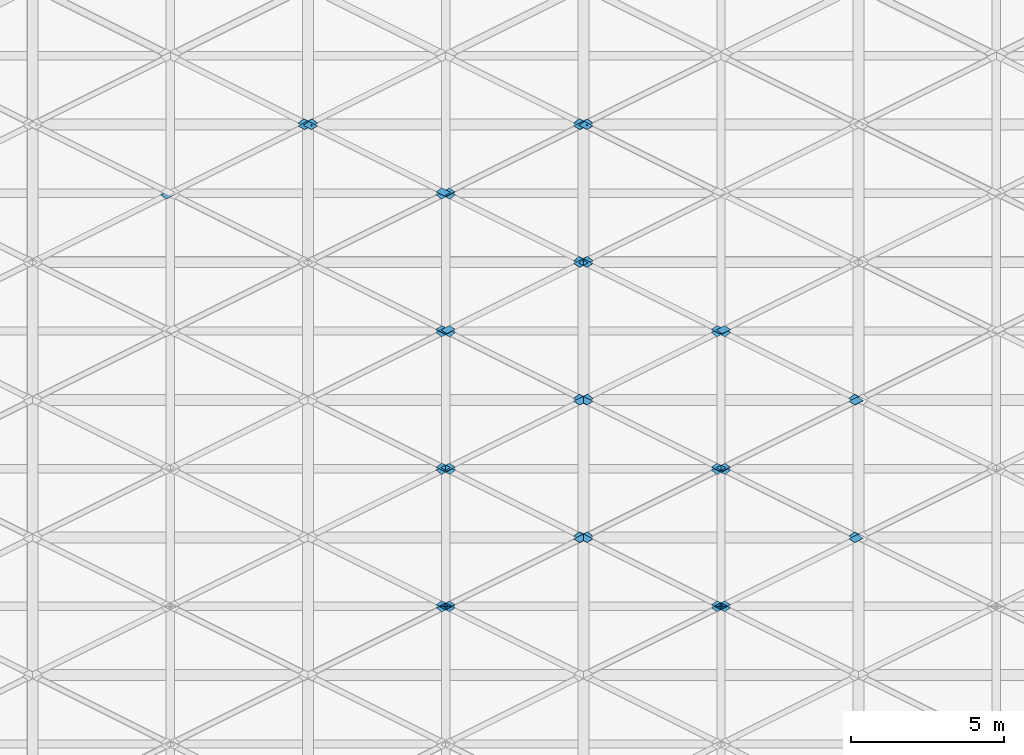
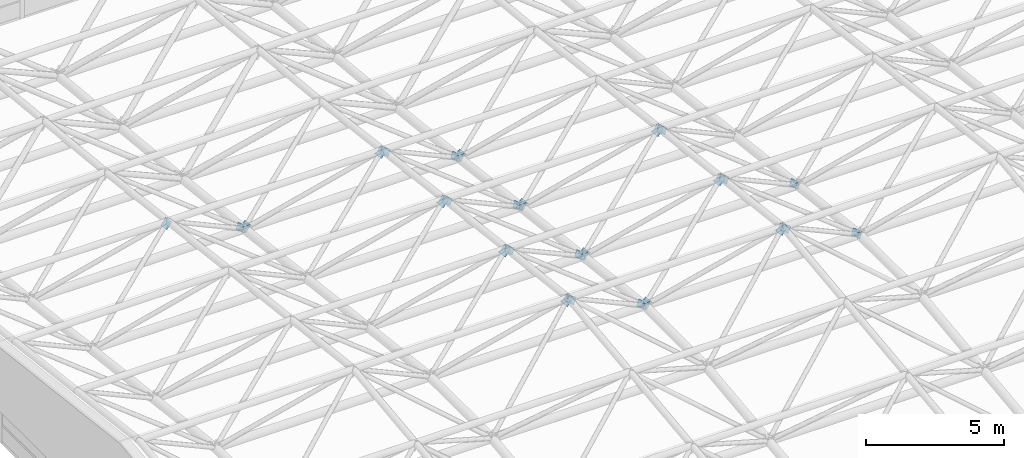
# One storey, part 36 of 53: 53 discrete accessories.
"""IFC4 building model written with IfcOpenShell, lengths in metres."""

from ifc_helpers import new_model, si_unit, direction, frame, origin, place, context, subcontext, project, spatial, polyline, outline, extrude, material, layer, layer_set, type_object, element, save


model = new_model("IFC4")

# Units and contexts
model_context = context("Model", 3, precision=1e-05, world=origin(), true_north=direction((0.0, 1.0)))
body_context = subcontext(model_context, "Body", "Model", "MODEL_VIEW")
ifc_project = project(units=[si_unit("LENGTHUNIT", "METRE"), si_unit("AREAUNIT", "SQUARE_METRE"), si_unit("VOLUMEUNIT", "CUBIC_METRE"), si_unit("PLANEANGLEUNIT", "RADIAN"), si_unit("MASSUNIT", "GRAM", prefix="KILO")], contexts=[model_context])

# Site, building, storey
site_placement = place(None, origin())
site = spatial("IfcSite", under=ifc_project, at=site_placement, CompositionType="ELEMENT")
building_placement = place(site_placement, origin())
building = spatial("IfcBuilding", under=site, at=building_placement, Name="Aravalli Gate Trade Fair Centre", CompositionType="ELEMENT")
storey_placement = place(building_placement, frame((0.0, 0.0, 25.199951171875)))
storey = spatial("IfcBuildingStorey", under=building, at=storey_placement, Name="ROOF LEVEL 2", CompositionType="ELEMENT", Elevation=25.199951171875)

# Discrete accessories
ifc_material = material(Name="Steel E350", Category="steel")
ifc_layer = layer(ifc_material, 0.011962890625)
ifc_layer_set = layer_set([ifc_layer], Name="Steel E350")
discrete_accessory_type = type_object("IfcDiscreteAccessoryType", Name="Gusset plate 291 x 291 x 12", PredefinedType="USERDEFINED", material=ifc_layer_set)
for number, where, z_axis, x_axis, name in (
    (1, (24.121826171875, 77.324462890625, 5.08544921875), (0.000136804439, -0.823750482353, 0.566952488404), (-0.749929392198, 0.374964696099, 0.54498383774), "Gusset plate Space frame web diagonal D3C end A"),
    (2, (33.121826171875, 77.324462890625, 5.08544921875), (0.000136804439, -0.823750482353, 0.566952488404), (-0.749929392198, 0.374964696099, 0.54498383774), "Gusset plate Space frame web diagonal D3C end A"),
):
    element("IfcDiscreteAccessory", number, at=place(storey_placement, frame(where, z_axis=z_axis, x_axis=x_axis)), inside=storey, type_object=discrete_accessory_type, Name=name, ObjectType="GUSSET PLATE", PredefinedType="USERDEFINED", context=body_context, shape_type="SweptSolid", body=[
        extrude(outline(polyline([(0.0, 0.0), (0.37047758647752815, -1.3877787807814457e-17), (0.37050220203048867, -0.2904791260615137), (2.461555296055795e-05, -0.2904791260615137), (0.0, 0.0)])), origin(), (0.0, 0.0, -1.0), 0.011962890625),
    ])
for number, where, z_axis, x_axis, name in (
    (3, (23.68603515625, 77.447998046875, 5.264892578125), (-0.000136804439, -0.823750482353, 0.566952488404), (0.749929392198, 0.374964696099, 0.54498383774), "Gusset plate Space frame web diagonal D3D end A"),
    (4, (32.68603515625, 77.447998046875, 5.264892578125), (-0.000136804439, -0.823750482353, 0.566952488404), (0.749929392198, 0.374964696099, 0.54498383774), "Gusset plate Space frame web diagonal D3D end A"),
):
    element("IfcDiscreteAccessory", number, at=place(storey_placement, frame(where, z_axis=z_axis, x_axis=x_axis)), inside=storey, type_object=discrete_accessory_type, Name=name, ObjectType="GUSSET PLATE", PredefinedType="USERDEFINED", context=body_context, shape_type="SweptSolid", body=[
        extrude(outline(polyline([(0.0, 0.0), (0.37047758647752815, 1.3877787807814457e-17), (0.37045297092456764, -0.2904791260615137), (-2.461555296055795e-05, -0.2904791260615137), (0.0, 0.0)])), origin(), (0.0, 0.0, -1.0), 0.011962890625),
    ])
discrete_accessory_1_placement = place(storey_placement, frame((24.121826171875, 77.675537109375, 5.08544921875), z_axis=(0.000136804439, 0.823750482353, 0.566952488404), x_axis=(-0.749929392198, -0.374964696099, 0.54498383774)))
element("IfcDiscreteAccessory", 5, at=discrete_accessory_1_placement, inside=storey, type_object=discrete_accessory_type, Name="Gusset plate Space frame web diagonal D4A end A", ObjectType="GUSSET PLATE", PredefinedType="USERDEFINED", context=body_context, shape_type="SweptSolid", body=[
    extrude(outline(polyline([(0.0, 0.0), (0.37047758647752815, 1.3877787807814457e-17), (0.37050220203048867, 0.2904791260615137), (2.461555296055795e-05, 0.2904791260615137), (0.0, 0.0)])), origin(), (0.0, 0.0, -1.0), 0.011962890625),
])
discrete_accessory_2_placement = place(storey_placement, frame((28.18603515625, 79.707763671875, 2.132080078125), z_axis=(0.000136804439, 0.823750482353, 0.566952488404), x_axis=(0.749929392198, 0.374964696099, -0.54498383774)))
element("IfcDiscreteAccessory", 6, at=discrete_accessory_2_placement, inside=storey, type_object=discrete_accessory_type, Name="Gusset plate Space frame web diagonal D4A end B", ObjectType="GUSSET PLATE", PredefinedType="USERDEFINED", context=body_context, shape_type="SweptSolid", body=[
    extrude(outline(polyline([(0.0, 0.0), (0.37047758647752815, 1.3877787807814457e-17), (0.37045297092456764, -0.2904791260615137), (-2.461555296055795e-05, -0.2904791260615137), (0.0, 0.0)])), origin(), (0.0, 0.0, -1.0), 0.011962890625),
])
discrete_accessory_3_placement = place(storey_placement, frame((33.121826171875, 77.675537109375, 5.08544921875), z_axis=(0.000136804439, 0.823750482353, 0.566952488404), x_axis=(-0.749929392198, -0.374964696099, 0.54498383774)))
element("IfcDiscreteAccessory", 7, at=discrete_accessory_3_placement, inside=storey, type_object=discrete_accessory_type, Name="Gusset plate Space frame web diagonal D4A end A", ObjectType="GUSSET PLATE", PredefinedType="USERDEFINED", context=body_context, shape_type="SweptSolid", body=[
    extrude(outline(polyline([(0.0, 0.0), (0.37047758647752815, 1.3877787807814457e-17), (0.37050220203048867, 0.2904791260615137), (2.461555296055795e-05, 0.2904791260615137), (0.0, 0.0)])), origin(), (0.0, 0.0, -1.0), 0.011962890625),
])
discrete_accessory_4_placement = place(storey_placement, frame((37.18603515625, 79.707763671875, 2.132080078125), z_axis=(0.000136804439, 0.823750482353, 0.566952488404), x_axis=(0.749929392198, 0.374964696099, -0.54498383774)))
element("IfcDiscreteAccessory", 8, at=discrete_accessory_4_placement, inside=storey, type_object=discrete_accessory_type, Name="Gusset plate Space frame web diagonal D4A end B", ObjectType="GUSSET PLATE", PredefinedType="USERDEFINED", context=body_context, shape_type="SweptSolid", body=[
    extrude(outline(polyline([(0.0, 0.0), (0.37047758647752815, 1.3877787807814457e-17), (0.37045297092456764, -0.2904791260615137), (-2.461555296055795e-05, -0.2904791260615137), (0.0, 0.0)])), origin(), (0.0, 0.0, -1.0), 0.011962890625),
])
discrete_accessory_5_placement = place(storey_placement, frame((24.121826171875, 82.175537109375, 4.54541015625), z_axis=(0.000136804439, 0.823750482353, 0.566952488404), x_axis=(-0.749929392198, -0.374964696099, 0.54498383774)))
element("IfcDiscreteAccessory", 9, at=discrete_accessory_5_placement, inside=storey, type_object=discrete_accessory_type, Name="Gusset plate Space frame web diagonal D4A end A", ObjectType="GUSSET PLATE", PredefinedType="USERDEFINED", context=body_context, shape_type="SweptSolid", body=[
    extrude(outline(polyline([(0.0, 0.0), (0.37047758647752815, 1.3877787807814457e-17), (0.37050220203048867, 0.2904791260615137), (2.461555296055795e-05, 0.2904791260615137), (0.0, 0.0)])), origin(), (0.0, 0.0, -1.0), 0.011962890625),
])
discrete_accessory_6_placement = place(storey_placement, frame((28.18603515625, 84.207763671875, 1.592041015625), z_axis=(0.000136804439, 0.823750482353, 0.566952488404), x_axis=(0.749929392198, 0.374964696099, -0.54498383774)))
element("IfcDiscreteAccessory", 10, at=discrete_accessory_6_placement, inside=storey, type_object=discrete_accessory_type, Name="Gusset plate Space frame web diagonal D4A end B", ObjectType="GUSSET PLATE", PredefinedType="USERDEFINED", context=body_context, shape_type="SweptSolid", body=[
    extrude(outline(polyline([(0.0, 0.0), (0.37047758647752815, 1.3877787807814457e-17), (0.37045297092456764, -0.2904791260615137), (-2.461555296055795e-05, -0.2904791260615137), (0.0, 0.0)])), origin(), (0.0, 0.0, -1.0), 0.011962890625),
])
discrete_accessory_7_placement = place(storey_placement, frame((33.121826171875, 82.175537109375, 4.54541015625), z_axis=(0.000136804439, 0.823750482353, 0.566952488404), x_axis=(-0.749929392198, -0.374964696099, 0.54498383774)))
element("IfcDiscreteAccessory", 11, at=discrete_accessory_7_placement, inside=storey, type_object=discrete_accessory_type, Name="Gusset plate Space frame web diagonal D4A end A", ObjectType="GUSSET PLATE", PredefinedType="USERDEFINED", context=body_context, shape_type="SweptSolid", body=[
    extrude(outline(polyline([(0.0, 0.0), (0.37047758647752815, 1.3877787807814457e-17), (0.37050220203048867, 0.2904791260615137), (2.461555296055795e-05, 0.2904791260615137), (0.0, 0.0)])), origin(), (0.0, 0.0, -1.0), 0.011962890625),
])
discrete_accessory_8_placement = place(storey_placement, frame((37.18603515625, 84.207763671875, 1.592041015625), z_axis=(0.000136804439, 0.823750482353, 0.566952488404), x_axis=(0.749929392198, 0.374964696099, -0.54498383774)))
element("IfcDiscreteAccessory", 12, at=discrete_accessory_8_placement, inside=storey, type_object=discrete_accessory_type, Name="Gusset plate Space frame web diagonal D4A end B", ObjectType="GUSSET PLATE", PredefinedType="USERDEFINED", context=body_context, shape_type="SweptSolid", body=[
    extrude(outline(polyline([(0.0, 0.0), (0.37047758647752815, 1.3877787807814457e-17), (0.37045297092456764, -0.2904791260615137), (-2.461555296055795e-05, -0.2904791260615137), (0.0, 0.0)])), origin(), (0.0, 0.0, -1.0), 0.011962890625),
])
for number, where, z_axis, x_axis, name in (
    (13, (23.68603515625, 77.552001953125, 5.264892578125), (-0.000136804439, 0.823750482353, 0.566952488404), (0.749929392198, -0.374964696099, 0.54498383774), "Gusset plate Space frame web diagonal D4B end A"),
    (14, (32.68603515625, 77.552001953125, 5.264892578125), (-0.000136804439, 0.823750482353, 0.566952488404), (0.749929392198, -0.374964696099, 0.54498383774), "Gusset plate Space frame web diagonal D4B end A"),
):
    element("IfcDiscreteAccessory", number, at=place(storey_placement, frame(where, z_axis=z_axis, x_axis=x_axis)), inside=storey, type_object=discrete_accessory_type, Name=name, ObjectType="GUSSET PLATE", PredefinedType="USERDEFINED", context=body_context, shape_type="SweptSolid", body=[
        extrude(outline(polyline([(0.0, 0.0), (0.37047758647752815, -1.3877787807814457e-17), (0.37045297092456764, 0.2904791260615137), (-2.461555296055795e-05, 0.2904791260615137), (0.0, 0.0)])), origin(), (0.0, 0.0, -1.0), 0.011962890625),
    ])
discrete_accessory_9_placement = place(storey_placement, frame((28.621826171875, 79.584228515625, 2.3115234375), z_axis=(-0.000136804439, 0.823750482353, 0.566952488404), x_axis=(-0.749929392198, 0.374964696099, -0.54498383774)))
element("IfcDiscreteAccessory", 15, at=discrete_accessory_9_placement, inside=storey, type_object=discrete_accessory_type, Name="Gusset plate Space frame web diagonal D4B end B", ObjectType="GUSSET PLATE", PredefinedType="USERDEFINED", context=body_context, shape_type="SweptSolid", body=[
    extrude(outline(polyline([(0.0, 0.0), (0.37047758647752815, -1.3877787807814457e-17), (0.37050220203048867, -0.2904791260615137), (2.461555296055795e-05, -0.2904791260615137), (0.0, 0.0)])), origin(), (0.0, 0.0, -1.0), 0.011962890625),
])
for number, where, z_axis, x_axis, name in (
    (16, (23.68603515625, 82.052001953125, 4.724853515625), (-0.000136804439, 0.823750482353, 0.566952488404), (0.749929392198, -0.374964696099, 0.54498383774), "Gusset plate Space frame web diagonal D4B end A"),
    (17, (32.68603515625, 82.052001953125, 4.724853515625), (-0.000136804439, 0.823750482353, 0.566952488404), (0.749929392198, -0.374964696099, 0.54498383774), "Gusset plate Space frame web diagonal D4B end A"),
):
    element("IfcDiscreteAccessory", number, at=place(storey_placement, frame(where, z_axis=z_axis, x_axis=x_axis)), inside=storey, type_object=discrete_accessory_type, Name=name, ObjectType="GUSSET PLATE", PredefinedType="USERDEFINED", context=body_context, shape_type="SweptSolid", body=[
        extrude(outline(polyline([(0.0, 0.0), (0.37047758647752815, -1.3877787807814457e-17), (0.37045297092456764, 0.2904791260615137), (-2.461555296055795e-05, 0.2904791260615137), (0.0, 0.0)])), origin(), (0.0, 0.0, -1.0), 0.011962890625),
    ])
discrete_accessory_10_placement = place(storey_placement, frame((28.621826171875, 84.084228515625, 1.771484375), z_axis=(-0.000136804439, 0.823750482353, 0.566952488404), x_axis=(-0.749929392198, 0.374964696099, -0.54498383774)))
element("IfcDiscreteAccessory", 18, at=discrete_accessory_10_placement, inside=storey, type_object=discrete_accessory_type, Name="Gusset plate Space frame web diagonal D4B end B", ObjectType="GUSSET PLATE", PredefinedType="USERDEFINED", context=body_context, shape_type="SweptSolid", body=[
    extrude(outline(polyline([(0.0, 0.0), (0.37047758647752815, -1.3877787807814457e-17), (0.37050220203048867, -0.2904791260615137), (2.461555296055795e-05, -0.2904791260615137), (0.0, 0.0)])), origin(), (0.0, 0.0, -1.0), 0.011962890625),
])
discrete_accessory_11_placement = place(storey_placement, frame((24.138671875, 81.80859375, 4.567138671875), z_axis=(0.000259688153, -0.77158167438, 0.636130216483), x_axis=(-0.786189750281, 0.392961505637, 0.476955901148)))
element("IfcDiscreteAccessory", 19, at=discrete_accessory_11_placement, inside=storey, type_object=discrete_accessory_type, Name="Gusset plate Space frame web diagonal D4C end A", ObjectType="GUSSET PLATE", PredefinedType="USERDEFINED", context=body_context, shape_type="SweptSolid", body=[
    extrude(outline(polyline([(0.0, 0.0), (0.37047009323158403, 1.3877787807814457e-17), (0.3706453255393415, -0.29059138113822636), (7.929444017017173e-05, -0.29046925152010133), (0.0, 0.0)])), origin(), (0.0, 0.0, -1.0), 0.011962890625),
])
discrete_accessory_12_placement = place(storey_placement, frame((28.181884765625, 79.786865234375, 2.1142578125), z_axis=(0.000259222443, -0.771843687699, 0.635812279342), x_axis=(0.78618965885, -0.392765328311, -0.477117613586)))
element("IfcDiscreteAccessory", 20, at=discrete_accessory_12_placement, inside=storey, type_object=discrete_accessory_type, Name="Gusset plate Space frame web diagonal D4C end B", ObjectType="GUSSET PLATE", PredefinedType="USERDEFINED", context=body_context, shape_type="SweptSolid", body=[
    extrude(outline(polyline([(0.0, 0.0), (0.3704701052045229, 2.7755575615628914e-17), (0.3703907868210381, 0.2904692667840814), (-7.931838348480824e-05, 0.2904692667840814), (0.0, 0.0)])), origin(), (0.0, 0.0, -1.0), 0.011962890625),
])
discrete_accessory_13_placement = place(storey_placement, frame((33.138671875, 81.80859375, 4.567138671875), z_axis=(0.000259688153, -0.77158167438, 0.636130216483), x_axis=(-0.786189750281, 0.392961505637, 0.476955901148)))
element("IfcDiscreteAccessory", 21, at=discrete_accessory_13_placement, inside=storey, type_object=discrete_accessory_type, Name="Gusset plate Space frame web diagonal D4C end A", ObjectType="GUSSET PLATE", PredefinedType="USERDEFINED", context=body_context, shape_type="SweptSolid", body=[
    extrude(outline(polyline([(0.0, 0.0), (0.37047009323158403, 1.3877787807814457e-17), (0.3706453255393415, -0.29059138113822636), (7.929444017017173e-05, -0.29046925152010133), (0.0, 0.0)])), origin(), (0.0, 0.0, -1.0), 0.011962890625),
])
discrete_accessory_14_placement = place(storey_placement, frame((37.181884765625, 79.786865234375, 2.1142578125), z_axis=(0.000259222443, -0.771843687699, 0.635812279342), x_axis=(0.78618965885, -0.392765328311, -0.477117613586)))
element("IfcDiscreteAccessory", 22, at=discrete_accessory_14_placement, inside=storey, type_object=discrete_accessory_type, Name="Gusset plate Space frame web diagonal D4C end B", ObjectType="GUSSET PLATE", PredefinedType="USERDEFINED", context=body_context, shape_type="SweptSolid", body=[
    extrude(outline(polyline([(0.0, 0.0), (0.3704701052045229, 2.7755575615628914e-17), (0.3703907868210381, 0.2904692667840814), (-7.931838348480824e-05, 0.2904692667840814), (0.0, 0.0)])), origin(), (0.0, 0.0, -1.0), 0.011962890625),
])
discrete_accessory_15_placement = place(storey_placement, frame((24.138671875, 86.30859375, 4.027099609375), z_axis=(0.000259688153, -0.77158167438, 0.636130216483), x_axis=(-0.786189750281, 0.392961505637, 0.476955901148)))
element("IfcDiscreteAccessory", 23, at=discrete_accessory_15_placement, inside=storey, type_object=discrete_accessory_type, Name="Gusset plate Space frame web diagonal D4C end A", ObjectType="GUSSET PLATE", PredefinedType="USERDEFINED", context=body_context, shape_type="SweptSolid", body=[
    extrude(outline(polyline([(0.0, 0.0), (0.37047009323158403, 1.3877787807814457e-17), (0.3706453255393415, -0.29059138113822636), (7.929444017017173e-05, -0.29046925152010133), (0.0, 0.0)])), origin(), (0.0, 0.0, -1.0), 0.011962890625),
])
discrete_accessory_16_placement = place(storey_placement, frame((28.181884765625, 84.286865234375, 1.574462890625), z_axis=(0.000589123978, -0.771792295466, 0.635874441689), x_axis=(0.785942550469, -0.392803472142, -0.477493182816)))
element("IfcDiscreteAccessory", 24, at=discrete_accessory_16_placement, inside=storey, type_object=discrete_accessory_type, Name="Gusset plate Space frame web diagonal D4C end B", ObjectType="GUSSET PLATE", PredefinedType="USERDEFINED", context=body_context, shape_type="SweptSolid", body=[
    extrude(outline(polyline([(0.0, 0.0), (0.3705866429803553, 2.7755575615628914e-17), (0.37039124031354775, 0.29046920151748473), (-7.882718272163303e-05, 0.29032116611826925), (0.0, 0.0)])), origin(), (0.0, 0.0, -1.0), 0.011962890625),
])
discrete_accessory_17_placement = place(storey_placement, frame((33.138671875, 86.30859375, 4.027099609375), z_axis=(0.000259688153, -0.77158167438, 0.636130216483), x_axis=(-0.786189750281, 0.392961505637, 0.476955901148)))
element("IfcDiscreteAccessory", 25, at=discrete_accessory_17_placement, inside=storey, type_object=discrete_accessory_type, Name="Gusset plate Space frame web diagonal D4C end A", ObjectType="GUSSET PLATE", PredefinedType="USERDEFINED", context=body_context, shape_type="SweptSolid", body=[
    extrude(outline(polyline([(0.0, 0.0), (0.37047009323158403, 1.3877787807814457e-17), (0.3706453255393415, -0.29059138113822636), (7.929444017017173e-05, -0.29046925152010133), (0.0, 0.0)])), origin(), (0.0, 0.0, -1.0), 0.011962890625),
])
discrete_accessory_18_placement = place(storey_placement, frame((37.181884765625, 84.286865234375, 1.574462890625), z_axis=(0.000589123978, -0.771792295466, 0.635874441689), x_axis=(0.785942550469, -0.392803472142, -0.477493182816)))
element("IfcDiscreteAccessory", 26, at=discrete_accessory_18_placement, inside=storey, type_object=discrete_accessory_type, Name="Gusset plate Space frame web diagonal D4C end B", ObjectType="GUSSET PLATE", PredefinedType="USERDEFINED", context=body_context, shape_type="SweptSolid", body=[
    extrude(outline(polyline([(0.0, 0.0), (0.3705866429803553, 2.7755575615628914e-17), (0.37039124031354775, 0.29046920151748473), (-7.882718272163303e-05, 0.29032116611826925), (0.0, 0.0)])), origin(), (0.0, 0.0, -1.0), 0.011962890625),
])
for number, where, z_axis, x_axis, name in (
    (27, (23.681884765625, 81.953857421875, 4.743408203125), (-0.000259688153, -0.77158167438, 0.636130216483), (0.785986034617, 0.393126352276, 0.477155765483), "Gusset plate Space frame web diagonal D4D end A"),
    (28, (32.681884765625, 81.953857421875, 4.743408203125), (-0.000259688153, -0.77158167438, 0.636130216483), (0.785986034617, 0.393126352276, 0.477155765483), "Gusset plate Space frame web diagonal D4D end A"),
):
    element("IfcDiscreteAccessory", number, at=place(storey_placement, frame(where, z_axis=z_axis, x_axis=x_axis)), inside=storey, type_object=discrete_accessory_type, Name=name, ObjectType="GUSSET PLATE", PredefinedType="USERDEFINED", context=body_context, shape_type="SweptSolid", body=[
        extrude(outline(polyline([(0.0, 0.0), (0.3705660512246577, -1.3877787807814457e-17), (0.3702950470274762, -0.2905913076038385), (-0.0001750260838329909, -0.2904692096111498), (0.0, 0.0)])), origin(), (0.0, 0.0, -1.0), 0.011962890625),
    ])
discrete_accessory_19_placement = place(storey_placement, frame((28.638671875, 79.93212890625, 2.29052734375), z_axis=(-0.000259222443, -0.771843687699, 0.635812279342), x_axis=(-0.78618965885, -0.392765328311, -0.477117613586)))
element("IfcDiscreteAccessory", 29, at=discrete_accessory_19_placement, inside=storey, type_object=discrete_accessory_type, Name="Gusset plate Space frame web diagonal D4D end B", ObjectType="GUSSET PLATE", PredefinedType="USERDEFINED", context=body_context, shape_type="SweptSolid", body=[
    extrude(outline(polyline([(0.0, 0.0), (0.3704701052045229, -2.7755575615628914e-17), (0.3705494235880077, 0.29046926678408136), (7.931838348480824e-05, 0.2904692667840814), (0.0, 0.0)])), origin(), (0.0, 0.0, -1.0), 0.011962890625),
])
for number, where, z_axis, x_axis, name in (
    (30, (23.681884765625, 86.453857421875, 4.203369140625), (-0.000259688153, -0.77158167438, 0.636130216483), (0.785986034617, 0.393126352276, 0.477155765483), "Gusset plate Space frame web diagonal D4D end A"),
    (31, (32.681884765625, 86.453857421875, 4.203369140625), (-0.000259688153, -0.77158167438, 0.636130216483), (0.785986034617, 0.393126352276, 0.477155765483), "Gusset plate Space frame web diagonal D4D end A"),
):
    element("IfcDiscreteAccessory", number, at=place(storey_placement, frame(where, z_axis=z_axis, x_axis=x_axis)), inside=storey, type_object=discrete_accessory_type, Name=name, ObjectType="GUSSET PLATE", PredefinedType="USERDEFINED", context=body_context, shape_type="SweptSolid", body=[
        extrude(outline(polyline([(0.0, 0.0), (0.3705660512246577, -1.3877787807814457e-17), (0.3702950470274762, -0.2905913076038385), (-0.0001750260838329909, -0.2904692096111498), (0.0, 0.0)])), origin(), (0.0, 0.0, -1.0), 0.011962890625),
    ])
discrete_accessory_20_placement = place(storey_placement, frame((28.638671875, 84.43212890625, 1.75048828125), z_axis=(-0.000589123978, -0.771792295466, 0.635874441689), x_axis=(-0.786189552673, -0.392603629975, -0.477250853324)))
element("IfcDiscreteAccessory", 32, at=discrete_accessory_20_placement, inside=storey, type_object=discrete_accessory_type, Name="Gusset plate Space frame web diagonal D4D end B", ObjectType="GUSSET PLATE", PredefinedType="USERDEFINED", context=body_context, shape_type="SweptSolid", body=[
    extrude(outline(polyline([(0.0, 0.0), (0.3704700970728539, -1.3877787807814457e-17), (0.37054943172141785, 0.29046925640835186), (-3.7181673048419794e-05, 0.2903211744387922), (0.0, 0.0)])), origin(), (0.0, 0.0, -1.0), 0.011962890625),
])
discrete_accessory_21_placement = place(storey_placement, frame((24.12158203125, 86.675537109375, 4.005126953125), z_axis=(-5.9235462e-05, 0.824355565608, 0.566072343383), x_axis=(-0.74937131646, -0.374861397834, 0.545821914622)))
element("IfcDiscreteAccessory", 33, at=discrete_accessory_21_placement, inside=storey, type_object=discrete_accessory_type, Name="Gusset plate Space frame web diagonal D5A end A", ObjectType="GUSSET PLATE", PredefinedType="USERDEFINED", context=body_context, shape_type="SweptSolid", body=[
    extrude(outline(polyline([(0.0, 0.0), (0.3704277020236978, 0.0), (0.37073891027907924, 0.290526143046557), (-5.001029550574798e-06, 0.29053697785674903), (0.0, 0.0)])), origin(), (0.0, 0.0, -1.0), 0.011962890625),
])
discrete_accessory_22_placement = place(storey_placement, frame((28.18603515625, 88.707763671875, 1.047119140625), z_axis=(-0.000356491483, 0.824386555112, 0.566027102411), x_axis=(0.749660046124, 0.374830119882, -0.545446786108)))
element("IfcDiscreteAccessory", 34, at=discrete_accessory_22_placement, inside=storey, type_object=discrete_accessory_type, Name="Gusset plate Space frame web diagonal D5A end B", ObjectType="GUSSET PLATE", PredefinedType="USERDEFINED", context=body_context, shape_type="SweptSolid", body=[
    extrude(outline(polyline([(0.0, 0.0), (0.37061069570280314, 0.0), (0.3704262257769532, -0.2905262593825685), (-1.4474536517566916e-06, -0.29068783726431885), (0.0, 0.0)])), origin(), (0.0, 0.0, -1.0), 0.011962890625),
])
discrete_accessory_23_placement = place(storey_placement, frame((33.12158203125, 86.675537109375, 4.005126953125), z_axis=(-5.9235462e-05, 0.824355565608, 0.566072343383), x_axis=(-0.74937131646, -0.374861397834, 0.545821914622)))
element("IfcDiscreteAccessory", 35, at=discrete_accessory_23_placement, inside=storey, type_object=discrete_accessory_type, Name="Gusset plate Space frame web diagonal D5A end A", ObjectType="GUSSET PLATE", PredefinedType="USERDEFINED", context=body_context, shape_type="SweptSolid", body=[
    extrude(outline(polyline([(0.0, 0.0), (0.3704277020236978, 0.0), (0.37073891027907924, 0.290526143046557), (-5.001029550574798e-06, 0.29053697785674903), (0.0, 0.0)])), origin(), (0.0, 0.0, -1.0), 0.011962890625),
])
discrete_accessory_24_placement = place(storey_placement, frame((19.18603515625, 93.207763671875, 0.4970703125), z_axis=(-0.000338926475, 0.824215745649, 0.566275807141), x_axis=(0.749929468437, 0.374811008577, -0.545089442403)))
element("IfcDiscreteAccessory", 36, at=discrete_accessory_24_placement, inside=storey, type_object=discrete_accessory_type, Name="Gusset plate Space frame web diagonal D5A end B", ObjectType="GUSSET PLATE", PredefinedType="USERDEFINED", context=body_context, shape_type="SweptSolid", body=[
    extrude(outline(polyline([(0.0, 0.0), (0.3704775800363668, -1.3877787807814457e-17), (0.37054452148215117, -0.29037536695413646), (0.00011695121776518491, -0.29068780553250784), (0.0, 0.0)])), origin(), (0.0, 0.0, -1.0), 0.011962890625),
])
discrete_accessory_25_placement = place(storey_placement, frame((24.12158203125, 91.175537109375, 3.455078125), z_axis=(-5.9235462e-05, 0.824355565608, 0.566072343383), x_axis=(-0.74910175115, -0.37503400761, 0.546073309694)))
element("IfcDiscreteAccessory", 37, at=discrete_accessory_25_placement, inside=storey, type_object=discrete_accessory_type, Name="Gusset plate Space frame web diagonal D5A end A", ObjectType="GUSSET PLATE", PredefinedType="USERDEFINED", context=body_context, shape_type="SweptSolid", body=[
    extrude(outline(polyline([(0.0, 0.0), (0.37056099002046733, 1.3877787807814457e-17), (0.3708571273038952, 0.29037522366126584), (0.00024656979283793623, 0.29068772448272373), (0.0, 0.0)])), origin(), (0.0, 0.0, -1.0), 0.011962890625),
])
discrete_accessory_26_placement = place(storey_placement, frame((28.18603515625, 93.207763671875, 0.4970703125), z_axis=(-0.000338926475, 0.824215745649, 0.566275807141), x_axis=(0.749929468437, 0.374811008577, -0.545089442403)))
element("IfcDiscreteAccessory", 38, at=discrete_accessory_26_placement, inside=storey, type_object=discrete_accessory_type, Name="Gusset plate Space frame web diagonal D5A end B", ObjectType="GUSSET PLATE", PredefinedType="USERDEFINED", context=body_context, shape_type="SweptSolid", body=[
    extrude(outline(polyline([(0.0, 0.0), (0.3704775800363668, -1.3877787807814457e-17), (0.37054452148215117, -0.29037536695413646), (0.00011695121776518491, -0.29068780553250784), (0.0, 0.0)])), origin(), (0.0, 0.0, -1.0), 0.011962890625),
])
for number, where, z_axis, x_axis, name in (
    (39, (23.68603515625, 86.55224609375, 4.1845703125), (5.9235462e-05, 0.824355565608, 0.566072343383), (0.749390667151, -0.374849001628, 0.545803860343), "Gusset plate Space frame web diagonal D5B end A"),
    (40, (32.68603515625, 86.55224609375, 4.1845703125), (5.9235462e-05, 0.824355565608, 0.566072343383), (0.749390667151, -0.374849001628, 0.545803860343), "Gusset plate Space frame web diagonal D5B end A"),
):
    element("IfcDiscreteAccessory", number, at=place(storey_placement, frame(where, z_axis=z_axis, x_axis=x_axis)), inside=storey, type_object=discrete_accessory_type, Name=name, ObjectType="GUSSET PLATE", PredefinedType="USERDEFINED", context=body_context, shape_type="SweptSolid", body=[
        extrude(outline(polyline([(0.0, 0.0), (0.37074391146695085, 0.0), (0.3704411936966931, 0.2905261520174016), (1.3491831181253189e-05, 0.2905369775865267), (0.0, 0.0)])), origin(), (0.0, 0.0, -1.0), 0.011962890625),
    ])
discrete_accessory_27_placement = place(storey_placement, frame((28.62158203125, 88.58447265625, 1.226806640625), z_axis=(0.000356491483, 0.824386555112, 0.566027102411), x_axis=(-0.749371292409, 0.375015088164, -0.54571636384)))
element("IfcDiscreteAccessory", 41, at=discrete_accessory_27_placement, inside=storey, type_object=discrete_accessory_type, Name="Gusset plate Space frame web diagonal D5B end B", ObjectType="GUSSET PLATE", PredefinedType="USERDEFINED", context=body_context, shape_type="SweptSolid", body=[
    extrude(outline(polyline([(0.0, 0.0), (0.3704277084701571, -1.3877787807814457e-17), (0.3707389038272042, -0.29052615127976134), (0.00012824338136119273, -0.2906878089792164), (0.0, 0.0)])), origin(), (0.0, 0.0, -1.0), 0.011962890625),
])
discrete_accessory_28_placement = place(storey_placement, frame((23.68603515625, 91.05224609375, 3.634765625), z_axis=(5.9235462e-05, 0.824355565608, 0.566072343383), x_axis=(0.749660070237, -0.374676343996, 0.545552395598)))
element("IfcDiscreteAccessory", 42, at=discrete_accessory_28_placement, inside=storey, type_object=discrete_accessory_type, Name="Gusset plate Space frame web diagonal D5B end A", ObjectType="GUSSET PLATE", PredefinedType="USERDEFINED", context=body_context, shape_type="SweptSolid", body=[
    extrude(outline(polyline([(0.0, 0.0), (0.3706106892622231, 1.3877787807814457e-17), (0.3705593979521325, 0.2903753701380719), (-1.4603348369723879e-06, 0.29068782905287593), (0.0, 0.0)])), origin(), (0.0, 0.0, -1.0), 0.011962890625),
])
for number, where, z_axis, x_axis, name in (
    (43, (19.62158203125, 93.08447265625, 0.6767578125), (0.000338926475, 0.824215745649, 0.566275807141), (-0.74937124219, 0.375168906268, -0.545610697428), "Gusset plate Space frame web diagonal D5B end B"),
    (44, (28.62158203125, 93.08447265625, 0.6767578125), (0.000338926475, 0.824215745649, 0.566275807141), (-0.74937124219, 0.375168906268, -0.545610697428), "Gusset plate Space frame web diagonal D5B end B"),
):
    element("IfcDiscreteAccessory", number, at=place(storey_placement, frame(where, z_axis=z_axis, x_axis=x_axis)), inside=storey, type_object=discrete_accessory_type, Name=name, ObjectType="GUSSET PLATE", PredefinedType="USERDEFINED", context=body_context, shape_type="SweptSolid", body=[
        extrude(outline(polyline([(0.0, 0.0), (0.3704277020281311, -2.7755575615628914e-17), (0.37060567875441897, -0.29037532012757467), (0.00012823049953920862, -0.29068780077573153), (0.0, 0.0)])), origin(), (0.0, 0.0, -1.0), 0.011962890625),
    ])
discrete_accessory_29_placement = place(storey_placement, frame((24.138916015625, 90.808349609375, 3.477294921875), z_axis=(-6.9765199e-05, -0.771154883137, 0.636647580178), x_axis=(-0.786484474244, 0.393242254842, 0.476238071536)))
element("IfcDiscreteAccessory", 45, at=discrete_accessory_29_placement, inside=storey, type_object=discrete_accessory_type, Name="Gusset plate Space frame web diagonal D5C end A", ObjectType="GUSSET PLATE", PredefinedType="USERDEFINED", context=body_context, shape_type="SweptSolid", body=[
    extrude(outline(polyline([(0.0, 0.0), (0.37064165383501635, 1.3877787807814457e-17), (0.3706783195979393, -0.29059144692340316), (0.00022867857401766278, -0.2904406632211646), (0.0, 0.0)])), origin(), (0.0, 0.0, -1.0), 0.011962890625),
])
discrete_accessory_30_placement = place(storey_placement, frame((28.181884765625, 88.786865234375, 1.029052734375), z_axis=(-6.9765199e-05, -0.771154883137, 0.636647580178), x_axis=(0.786233023991, -0.393446013556, -0.476484906794)))
element("IfcDiscreteAccessory", 46, at=discrete_accessory_30_placement, inside=storey, type_object=discrete_accessory_type, Name="Gusset plate Space frame web diagonal D5C end B", ObjectType="GUSSET PLATE", PredefinedType="USERDEFINED", context=body_context, shape_type="SweptSolid", body=[
    extrude(outline(polyline([(0.0, 0.0), (0.37044967171058096, 2.7755575615628914e-17), (0.3702947268495056, 0.290591407927876), (-0.0003468962829482891, 0.29044054608337494), (0.0, 0.0)])), origin(), (0.0, 0.0, -1.0), 0.011962890625),
])
for number, where, z_axis, x_axis, name in (
    (47, (19.181884765625, 93.286865234375, 0.479248046875), (0.000260921892, -0.770886805608, 0.636972106814), (0.786233024012, -0.393446097564, -0.476484837392), "Gusset plate Space frame web diagonal D5C end B"),
    (48, (28.181884765625, 93.286865234375, 0.479248046875), (0.000260921892, -0.770886805608, 0.636972106814), (0.786233024012, -0.393446097564, -0.476484837392), "Gusset plate Space frame web diagonal D5C end B"),
):
    element("IfcDiscreteAccessory", number, at=place(storey_placement, frame(where, z_axis=z_axis, x_axis=x_axis)), inside=storey, type_object=discrete_accessory_type, Name=name, ObjectType="GUSSET PLATE", PredefinedType="USERDEFINED", context=body_context, shape_type="SweptSolid", body=[
        extrude(outline(polyline([(0.0, 0.0), (0.3704496717105797, 1.3877787807814457e-17), (0.37041105616888137, 0.29044341854454775), (-0.00023056696357631745, 0.2902925567125407), (0.0, 0.0)])), origin(), (0.0, 0.0, -1.0), 0.011962890625),
    ])
for number, where, z_axis, x_axis, name in (
    (49, (14.681884765625, 90.953857421875, 3.653564453125), (6.9765199e-05, -0.771154883137, 0.636647580178), (0.786233023991, 0.393446013556, 0.476484906794), "Gusset plate Space frame web diagonal D5D end A"),
    (50, (23.681884765625, 90.953857421875, 3.653564453125), (6.9765199e-05, -0.771154883137, 0.636647580178), (0.786233023991, 0.393446013556, 0.476484906794), "Gusset plate Space frame web diagonal D5D end A"),
):
    element("IfcDiscreteAccessory", number, at=place(storey_placement, frame(where, z_axis=z_axis, x_axis=x_axis)), inside=storey, type_object=discrete_accessory_type, Name=name, ObjectType="GUSSET PLATE", PredefinedType="USERDEFINED", context=body_context, shape_type="SweptSolid", body=[
        extrude(outline(polyline([(0.0, 0.0), (0.37044967171058096, -2.7755575615628914e-17), (0.3702947268495056, -0.290591407927876), (-0.0003468962829482891, -0.29044054608337494), (0.0, 0.0)])), origin(), (0.0, 0.0, -1.0), 0.011962890625),
    ])
discrete_accessory_31_placement = place(storey_placement, frame((28.638916015625, 88.932373046875, 1.205322265625), z_axis=(6.9765199e-05, -0.771154883137, 0.636647580178), x_axis=(-0.786484474244, -0.393242254842, -0.476238071536)))
element("IfcDiscreteAccessory", 51, at=discrete_accessory_31_placement, inside=storey, type_object=discrete_accessory_type, Name="Gusset plate Space frame web diagonal D5D end B", ObjectType="GUSSET PLATE", PredefinedType="USERDEFINED", context=body_context, shape_type="SweptSolid", body=[
    extrude(outline(polyline([(0.0, 0.0), (0.37064165383501635, -1.3877787807814457e-17), (0.3706783195979393, 0.29059144692340316), (0.00022867857401766278, 0.2904406632211646), (0.0, 0.0)])), origin(), (0.0, 0.0, -1.0), 0.011962890625),
])
for number, where, z_axis, x_axis, name in (
    (52, (19.638916015625, 93.432373046875, 0.6552734375), (-0.000260921892, -0.770886805608, 0.636972106814), (-0.786484474223, -0.393242170877, -0.476238140902), "Gusset plate Space frame web diagonal D5D end B"),
    (53, (28.638916015625, 93.432373046875, 0.6552734375), (-0.000260921892, -0.770886805608, 0.636972106814), (-0.786484474223, -0.393242170877, -0.476238140902), "Gusset plate Space frame web diagonal D5D end B"),
):
    element("IfcDiscreteAccessory", number, at=place(storey_placement, frame(where, z_axis=z_axis, x_axis=x_axis)), inside=storey, type_object=discrete_accessory_type, Name=name, ObjectType="GUSSET PLATE", PredefinedType="USERDEFINED", context=body_context, shape_type="SweptSolid", body=[
        extrude(outline(polyline([(0.0, 0.0), (0.37064165383501513, -1.3877787807814457e-17), (0.37056205053393565, 0.29044341020294784), (0.00011240951001027788, 0.2902926265131968), (0.0, 0.0)])), origin(), (0.0, 0.0, -1.0), 0.011962890625),
    ])

save(model, "model.ifc")
